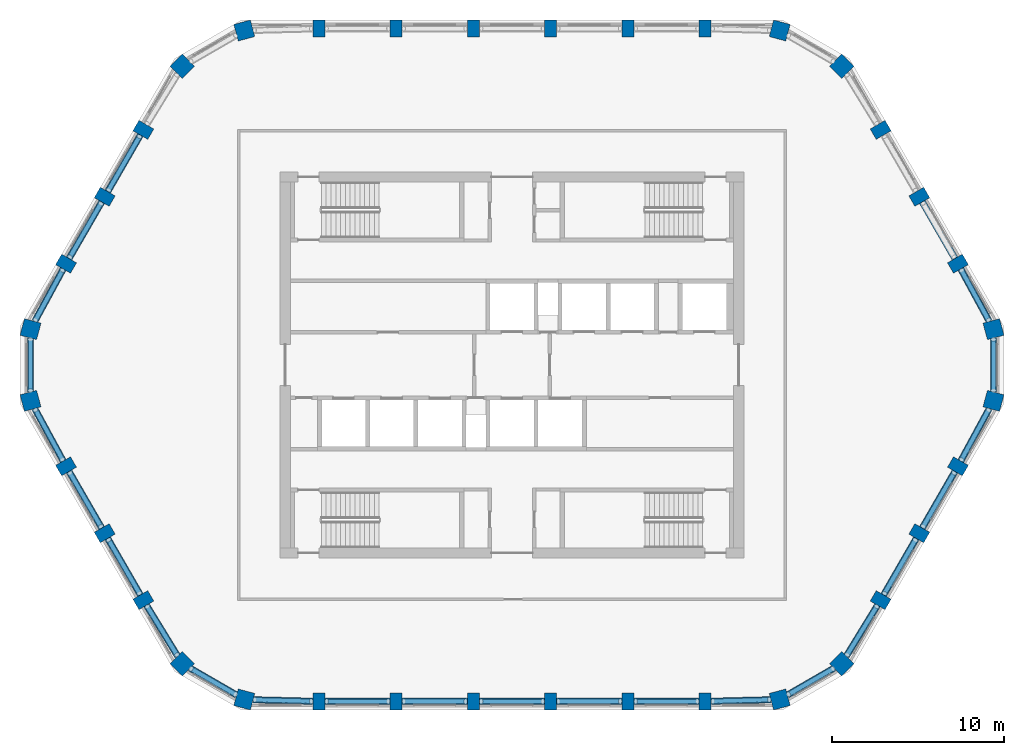
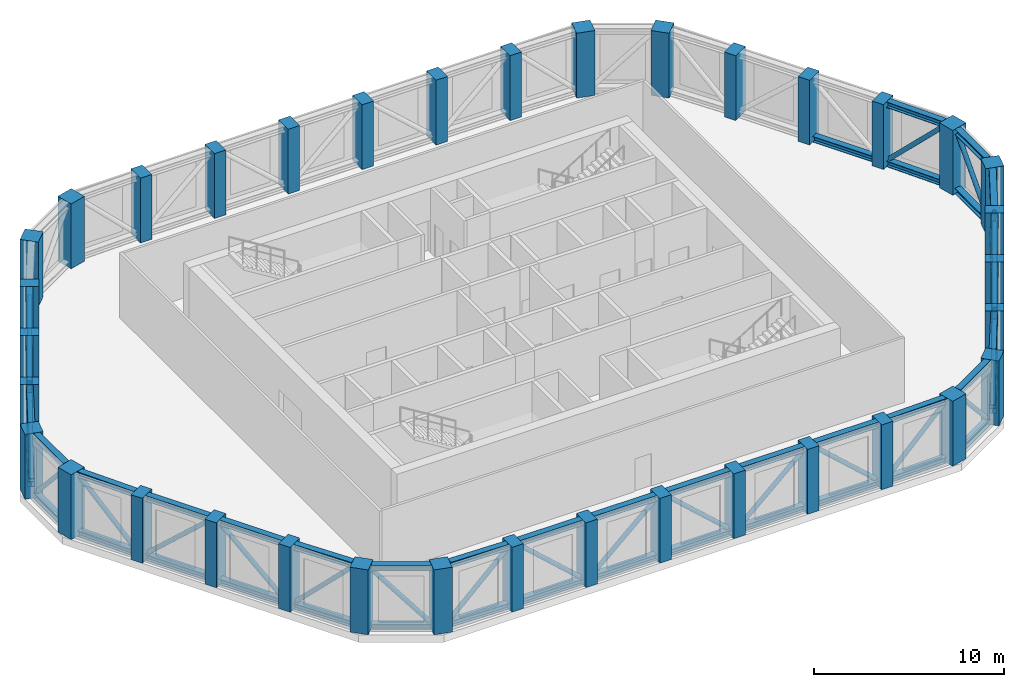
# One storey, part 1 of 14: 47 beams, 36 columns, 23 members.
"""IFC4 building model written with IfcOpenShell, lengths in metres."""

import ifcopenshell
import ifcopenshell.guid

model = None  # the IFC model being written
_history = None  # IfcOwnerHistory: only IFC2X3 demands one
_inside = {}  # id of a spatial element -> (the spatial element, [elements in it])
_under = {}  # id of a project, library or spatial element -> (it, [spatial elements below it])
_declared = {}  # id of a project -> (the project, [libraries it declares])
_typed = {}  # id of a type object -> (the type object, [elements of that type])
_made_of = {}  # id of a material, layer set ... -> (it, [elements and type objects made of it])


def new_model(schema):
    """Start an empty IFC model of exactly this schema.

    Asked for "IFC4X3", IfcOpenShell would pick the latest addendum, in which some entities
    have other attributes; the version numbers below select the first issue.
    IFC2X3 requires an IfcOwnerHistory on every rooted entity: one is made here for all.
    """
    global model, _history
    if schema == "IFC4X3":
        model = ifcopenshell.file(schema_version=(4, 3, 0, 0))
    else:
        model = ifcopenshell.file(schema=schema)
    _inside.clear()
    _under.clear()
    _declared.clear()
    _typed.clear()
    _made_of.clear()
    _history = None
    if model.schema == "IFC2X3":
        org = make("IfcOrganization", Name="unknown")
        user = make(
            "IfcPersonAndOrganization",
            ThePerson=make("IfcPerson", FamilyName="unknown"),
            TheOrganization=org,
        )
        app = make(
            "IfcApplication",
            ApplicationDeveloper=org,
            Version="unknown",
            ApplicationFullName="unknown",
            ApplicationIdentifier="unknown",
        )
        _history = make(
            "IfcOwnerHistory",
            OwningUser=user,
            OwningApplication=app,
            ChangeAction="ADDED",
            CreationDate=0,
        )
    return model


def make(cls, **values):
    """One entity of the class cls with the attributes given. An attribute that is None is left unset."""
    return model.create_entity(
        cls, **{name: value for name, value in values.items() if value is not None}
    )


def rooted(cls, **values):
    """An entity with a GlobalId (a new one), such as an element, a storey or a relation."""
    return make(cls, GlobalId=ifcopenshell.guid.new(), OwnerHistory=_history, **values)


def si_unit(unit_type, name, prefix=None):
    """IfcSIUnit, for example si_unit("LENGTHUNIT", "METRE", prefix="MILLI")."""
    return make("IfcSIUnit", UnitType=unit_type, Prefix=prefix, Name=name)


def assignment(units):
    """IfcUnitAssignment: the units of a project."""
    return None if units is None else make("IfcUnitAssignment", Units=units)


def point(xyz):
    """IfcCartesianPoint."""
    return None if xyz is None else make("IfcCartesianPoint", Coordinates=xyz)


def direction(xyz):
    """IfcDirection."""
    return None if xyz is None else make("IfcDirection", DirectionRatios=xyz)


def frame(location, z_axis=None, x_axis=None):
    """IfcAxis2Placement3D, a coordinate frame: its origin and axes. An axis left out is left unset."""
    return make(
        "IfcAxis2Placement3D",
        Location=point(location),
        Axis=direction(z_axis),
        RefDirection=direction(x_axis),
    )


def frame_2d(location, x_axis=None):
    """IfcAxis2Placement2D, a coordinate frame in the plane: its origin and x axis."""
    return make(
        "IfcAxis2Placement2D", Location=point(location), RefDirection=direction(x_axis)
    )


def origin():
    """The frame at (0, 0, 0) with its axes left unset."""
    return frame((0.0, 0.0, 0.0))


def origin_2d():
    """The frame at (0, 0) in the plane with its x axis left unset."""
    return frame_2d((0.0, 0.0))


def place(relative_to, where):
    """IfcLocalPlacement: puts the frame where relative to a parent placement (None: the world)."""
    return make(
        "IfcLocalPlacement", PlacementRelTo=relative_to, RelativePlacement=where
    )


def context(
    kind, dimensions, precision=None, world=None, true_north=None, identifier=None
):
    """IfcGeometricRepresentationContext, for example the 3D "Model" context."""
    return make(
        "IfcGeometricRepresentationContext",
        ContextIdentifier=identifier,
        ContextType=kind,
        CoordinateSpaceDimension=dimensions,
        Precision=precision,
        WorldCoordinateSystem=world,
        TrueNorth=true_north,
    )


def subcontext(parent, identifier, kind, view, scale=None):
    """IfcGeometricRepresentationSubContext, for example "Body" below "Model"."""
    return make(
        "IfcGeometricRepresentationSubContext",
        ContextIdentifier=identifier,
        ContextType=kind,
        ParentContext=parent,
        TargetScale=scale,
        TargetView=view,
    )


def project(units=None, contexts=None):
    """IfcProject with its units and contexts."""
    return rooted(
        "IfcProject",
        Name="project",
        RepresentationContexts=contexts,
        UnitsInContext=assignment(units),
    )


def spatial(cls, under=None, at=None, **own):
    """A site, building, storey or space (cls), placed at a placement, below another one or the project."""
    s = rooted(cls, ObjectPlacement=at, **own)
    if under is not None:
        _under.setdefault(under.id(), (under, []))[1].append(s)
    return s


def profile(cls, at=None, kind="AREA", **sizes):
    """A parametric profile (cls). Its sizes go by their IFC names, for example OverallWidth=200.0."""
    return make(cls, ProfileType=kind, Position=at, **sizes)


def rectangle(**sizes):
    """IfcRectangleProfileDef."""
    return profile("IfcRectangleProfileDef", **sizes)


def hollow_circle(**sizes):
    """IfcCircleHollowProfileDef."""
    return profile("IfcCircleHollowProfileDef", **sizes)


def i_section(**sizes):
    """IfcIShapeProfileDef."""
    return profile("IfcIShapeProfileDef", **sizes)


def extrude(swept, where, along, depth):
    """IfcExtrudedAreaSolid: the profile swept, set in the frame where, extruded along a direction by depth."""
    return make(
        "IfcExtrudedAreaSolid",
        SweptArea=swept,
        Position=where,
        ExtrudedDirection=direction(along),
        Depth=depth,
    )


def shape(context_of_items, identifier, shape_type, items):
    """IfcShapeRepresentation: the items that make up one representation, for example the "Body"."""
    return make(
        "IfcShapeRepresentation",
        ContextOfItems=context_of_items,
        RepresentationIdentifier=identifier,
        RepresentationType=shape_type,
        Items=items,
    )


def material(Name=None, Category=None):
    """IfcMaterial."""
    return make("IfcMaterial", Name=Name, Category=Category)


def material_profile(
    of_material, cross_section, Name=None, Category=None, Priority=None
):
    """IfcMaterialProfile: a cross section and its material."""
    return make(
        "IfcMaterialProfile",
        Name=Name,
        Material=of_material,
        Profile=cross_section,
        Priority=Priority,
        Category=Category,
    )


def profile_set(profiles, Name=None, composite=None):
    """IfcMaterialProfileSet."""
    return make(
        "IfcMaterialProfileSet",
        Name=Name,
        MaterialProfiles=profiles,
        CompositeProfile=composite,
    )


def made_of(thing, what):
    """Note that an element or type object is made of a material, layer set ...; save() writes the relation."""
    if what is not None:
        _made_of.setdefault(what.id(), (what, []))[1].append(thing)
    return thing


def type_object(cls, material=None, **own):
    """A type object (cls), such as IfcWallType, which elements share."""
    return made_of(rooted(cls, **own), material)


def element(
    cls,
    number,
    at=None,
    inside=None,
    cuts=None,
    type_object=None,
    material=None,
    context=None,
    identifier="Body",
    shape_type=None,
    held_by="IfcProductDefinitionShape",
    body=None,
    shapes=None,
    **own,
):
    """One element of the class cls, such as IfcWall. Its Tag is "e" and its number.

    at: its placement. inside: the storey or other place that contains it. cuts: it is an
    opening in that element (IfcRelVoidsElement). A single representation is given by context,
    identifier, shape_type and body (its items); several are given by shapes. held_by: the class
    of the entity that holds the representations. save() writes the other relations.
    """
    e = rooted(cls, Tag="e%d" % number, ObjectPlacement=at, **own)
    if body is not None:
        shapes = [shape(context, identifier, shape_type, body)]
    if shapes is not None:
        e.Representation = make(held_by, Representations=shapes)
    if inside is not None:
        _inside.setdefault(inside.id(), (inside, []))[1].append(e)
    if cuts is not None:
        rooted(
            "IfcRelVoidsElement", RelatingBuildingElement=cuts, RelatedOpeningElement=e
        )
    if type_object is not None:
        _typed.setdefault(type_object.id(), (type_object, []))[1].append(e)
    return made_of(e, material)


def aggregate(whole, parts):
    """IfcRelAggregates: a whole, such as a stair, and the parts it consists of."""
    return rooted("IfcRelAggregates", RelatingObject=whole, RelatedObjects=parts)


def save(model, path):
    """Write the relations noted so far, then the file.

    IfcRelAggregates (storeys below a building ...), IfcRelContainedInSpatialStructure (elements
    in a storey), IfcRelDefinesByType, IfcRelAssociatesMaterial and IfcRelDeclares: one each for
    every whole, place, type object, material and project.
    """
    for whole, parts in _under.values():
        aggregate(whole, parts)
    for where, things in _inside.values():
        rooted(
            "IfcRelContainedInSpatialStructure",
            RelatedElements=things,
            RelatingStructure=where,
        )
    for kind, things in _typed.values():
        rooted("IfcRelDefinesByType", RelatedObjects=things, RelatingType=kind)
    for what, things in _made_of.values():
        rooted("IfcRelAssociatesMaterial", RelatedObjects=things, RelatingMaterial=what)
    for by, libraries in _declared.values():
        rooted("IfcRelDeclares", RelatingContext=by, RelatedDefinitions=libraries)
    model.write(path)


model = new_model("IFC4")

# Units and contexts
model_context = context("Model", 3, precision=1e-05, world=origin(), true_north=direction((0.0, 1.0)))
body_context = subcontext(model_context, "Body", "Model", "MODEL_VIEW")
ifc_project = project(units=[si_unit("LENGTHUNIT", "METRE"), si_unit("AREAUNIT", "SQUARE_METRE"), si_unit("VOLUMEUNIT", "CUBIC_METRE"), si_unit("PLANEANGLEUNIT", "RADIAN"), si_unit("MASSUNIT", "GRAM", prefix="KILO")], contexts=[model_context])

# Site, building, storey
site_placement = place(None, origin())
site = spatial("IfcSite", under=ifc_project, at=site_placement, CompositionType="ELEMENT")
building_placement = place(site_placement, origin())
building = spatial("IfcBuilding", under=site, at=building_placement, Name="Dhurran Vertical Campus", CompositionType="ELEMENT")
storey_placement = place(building_placement, frame((0.0, 0.0, 282.0)))
storey = spatial("IfcBuildingStorey", under=building, at=storey_placement, Name="L70 Plant", CompositionType="ELEMENT", Elevation=282.0)

# Columns
ifc_material_1 = material(Name="Concrete C50/60", Category="concrete")
ifc_material_profile_1 = material_profile(ifc_material_1, rectangle(XDim=1.0, YDim=1.0, at=origin_2d()), Name="RC 1000x1000")
ifc_profile_set_1 = profile_set([ifc_material_profile_1], Name="Concrete C50/60")
column_type_1 = type_object("IfcColumnType", Name="FR COL RC 1000x1000 C50/60", PredefinedType="COLUMN", material=ifc_profile_set_1)
for number, where, z_axis, x_axis, name in (
    (1, (-15.5859375, -19.47607421875, 0.0), (0.0, 0.0, 1.0), (0.965925826289, -0.258819045103, 0.0), "Perimeter pier PP5.00"),
    (2, (15.5859375, -19.47607421875, 0.0), (0.0, 0.0, 1.0), (0.965925826289, 0.258819045103, 0.0), "Perimeter pier PP5.07"),
    (3, (19.19873046875, -17.39013671875, 0.0), (0.0, 0.0, 1.0), (0.707106781187, 0.707106781187, 0.0), "Perimeter pier PP5.08"),
    (4, (28.03466796875, -2.0859375, 0.0), (0.0, 0.0, 1.0), (0.258819045103, 0.965925826289, 0.0), "Perimeter pier PP5.12"),
    (5, (28.03466796875, 2.0859375, 0.0), (0.0, 0.0, 1.0), (-0.258819045103, 0.965925826289, 0.0), "Perimeter pier PP5.13"),
    (6, (19.19873046875, 17.39013671875, 0.0), (0.0, 0.0, 1.0), (-0.707106781187, 0.707106781187, 0.0), "Perimeter pier PP5.17"),
    (7, (15.5859375, 19.47607421875, 0.0), (0.0, 0.0, 1.0), (-0.965925826289, 0.258819045103, 0.0), "Perimeter pier PP5.18"),
    (8, (-15.5859375, 19.47607421875, 0.0), (0.0, 0.0, 1.0), (-0.965925826289, -0.258819045103, 0.0), "Perimeter pier PP5.25"),
    (9, (-19.19873046875, 17.39013671875, 0.0), (0.0, 0.0, 1.0), (-0.707106781187, -0.707106781187, 0.0), "Perimeter pier PP5.26"),
    (10, (-28.03466796875, 2.0859375, 0.0), (0.0, 0.0, 1.0), (-0.258819045103, -0.965925826289, 0.0), "Perimeter pier PP5.30"),
    (11, (-28.03466796875, -2.0859375, 0.0), (0.0, 0.0, 1.0), (0.258819045103, -0.965925826289, 0.0), "Perimeter pier PP5.31"),
    (12, (-19.19873046875, -17.39013671875, 0.0), (0.0, 0.0, 1.0), (0.707106781187, -0.707106781187, 0.0), "Perimeter pier PP5.35"),
):
    element("IfcColumn", number, at=place(storey_placement, frame(where, z_axis=z_axis, x_axis=x_axis)), inside=storey, type_object=column_type_1, Name=name, PredefinedType="COLUMN", context=body_context, shape_type="SweptSolid", body=[
        extrude(rectangle(XDim=1.0, YDim=1.0, at=origin_2d()), origin(), (0.0, 0.0, 1.0), 4.175048828125),
    ])
ifc_material_2 = material(Name="Concrete C50/60", Category="concrete")
ifc_material_profile_2 = material_profile(ifc_material_2, rectangle(XDim=0.699951171875, YDim=1.0, at=origin_2d()), Name="RC 700x1000")
ifc_profile_set_2 = profile_set([ifc_material_profile_2], Name="Concrete C50/60")
column_type_2 = type_object("IfcColumnType", Name="FR COL RC 700x1000 C50/60", PredefinedType="COLUMN", material=ifc_profile_set_2)
for number, where, z_axis, x_axis, name in (
    (13, (-11.25, -19.58837890625, 0.0), (0.0, 0.0, 1.0), (1.0, 0.0, 0.0), "Perimeter pier PP5.01"),
    (14, (-6.75, -19.58837890625, 0.0), (0.0, 0.0, 1.0), (1.0, 0.0, 0.0), "Perimeter pier PP5.02"),
    (15, (-2.25, -19.58837890625, 0.0), (0.0, 0.0, 1.0), (1.0, 0.0, 0.0), "Perimeter pier PP5.03"),
    (16, (2.25, -19.58837890625, 0.0), (0.0, 0.0, 1.0), (1.0, 0.0, 0.0), "Perimeter pier PP5.04"),
    (17, (6.75, -19.58837890625, 0.0), (0.0, 0.0, 1.0), (1.0, 0.0, 0.0), "Perimeter pier PP5.05"),
    (18, (11.25, -19.58837890625, 0.0), (0.0, 0.0, 1.0), (1.0, 0.0, 0.0), "Perimeter pier PP5.06"),
    (19, (21.464111328125, -13.69140625, 0.0), (0.0, 0.0, 1.0), (0.5, 0.866025403784, 0.0), "Perimeter pier PP5.09"),
    (20, (23.714111328125, -9.794189453125, 0.0), (0.0, 0.0, 1.0), (0.5, 0.866025403784, 0.0), "Perimeter pier PP5.10"),
    (21, (25.964111328125, -5.897216796875, 0.0), (0.0, 0.0, 1.0), (0.5, 0.866025403784, 0.0), "Perimeter pier PP5.11"),
    (22, (25.964111328125, 5.897216796875, 0.0), (0.0, 0.0, 1.0), (-0.5, 0.866025403784, 0.0), "Perimeter pier PP5.14"),
    (23, (23.714111328125, 9.794189453125, 0.0), (0.0, 0.0, 1.0), (-0.5, 0.866025403784, 0.0), "Perimeter pier PP5.15"),
    (24, (21.464111328125, 13.69140625, 0.0), (0.0, 0.0, 1.0), (-0.5, 0.866025403784, 0.0), "Perimeter pier PP5.16"),
    (25, (11.25, 19.58837890625, 0.0), (0.0, 0.0, 1.0), (-1.0, 0.0, 0.0), "Perimeter pier PP5.19"),
    (26, (6.75, 19.58837890625, 0.0), (0.0, 0.0, 1.0), (-1.0, 0.0, 0.0), "Perimeter pier PP5.20"),
    (27, (2.25, 19.58837890625, 0.0), (0.0, 0.0, 1.0), (-1.0, 0.0, 0.0), "Perimeter pier PP5.21"),
    (28, (-2.25, 19.58837890625, 0.0), (0.0, 0.0, 1.0), (-1.0, 0.0, 0.0), "Perimeter pier PP5.22"),
    (29, (-6.75, 19.58837890625, 0.0), (0.0, 0.0, 1.0), (-1.0, 0.0, 0.0), "Perimeter pier PP5.23"),
    (30, (-11.25, 19.58837890625, 0.0), (0.0, 0.0, 1.0), (-1.0, 0.0, 0.0), "Perimeter pier PP5.24"),
    (31, (-21.464111328125, 13.69140625, 0.0), (0.0, 0.0, 1.0), (-0.5, -0.866025403784, 0.0), "Perimeter pier PP5.27"),
    (32, (-23.714111328125, 9.794189453125, 0.0), (0.0, 0.0, 1.0), (-0.5, -0.866025403784, 0.0), "Perimeter pier PP5.28"),
    (33, (-25.964111328125, 5.897216796875, 0.0), (0.0, 0.0, 1.0), (-0.5, -0.866025403784, 0.0), "Perimeter pier PP5.29"),
    (34, (-25.964111328125, -5.897216796875, 0.0), (0.0, 0.0, 1.0), (0.5, -0.866025403784, 0.0), "Perimeter pier PP5.32"),
    (35, (-23.714111328125, -9.794189453125, 0.0), (0.0, 0.0, 1.0), (0.5, -0.866025403784, 0.0), "Perimeter pier PP5.33"),
    (36, (-21.464111328125, -13.69140625, 0.0), (0.0, 0.0, 1.0), (0.5, -0.866025403784, 0.0), "Perimeter pier PP5.34"),
):
    element("IfcColumn", number, at=place(storey_placement, frame(where, z_axis=z_axis, x_axis=x_axis)), inside=storey, type_object=column_type_2, Name=name, PredefinedType="COLUMN", context=body_context, shape_type="SweptSolid", body=[
        extrude(rectangle(XDim=0.699951171875, YDim=1.0, at=origin_2d()), origin(), (0.0, 0.0, 1.0), 4.175048828125),
    ])

# Beams
ifc_material_3 = material(Name="Steel ASTM A992", Category="steel")
ifc_material_profile_3 = material_profile(ifc_material_3, i_section(OverallWidth=0.3740234375, OverallDepth=0.3720703125, WebThickness=0.016357421875, FlangeThickness=0.026123046875, at=origin_2d()), Name="W360x196")
ifc_profile_set_3 = profile_set([ifc_material_profile_3], Name="Steel ASTM A992")
beam_type = type_object("IfcBeamType", Name="FR BELT CHORD W360x196", PredefinedType="BEAM", material=ifc_profile_set_3)
for number, where, z_axis, x_axis, name in (
    (37, (-15.07177734375, -19.489501953125, 0.18603515625), (0.999665305657, -0.025870382031, 0.0), (0.025870382031, 0.999665305657, 0.0), "Belt truss chord L70"),
    (38, (-15.07177734375, -19.489501953125, 3.989013671875), (0.999665305657, -0.025870382031, 0.0), (0.025870382031, 0.999665305657, 0.0), "Belt truss chord L70"),
):
    element("IfcBeam", number, at=place(storey_placement, frame(where, z_axis=z_axis, x_axis=x_axis)), inside=storey, type_object=beam_type, Name=name, PredefinedType="BEAM", context=body_context, shape_type="SweptSolid", body=[
        extrude(i_section(OverallWidth=0.3740234375, OverallDepth=0.3720703125, WebThickness=0.016357421875, FlangeThickness=0.026123046875, at=origin_2d()), origin(), (0.0, 0.0, 1.0), 3.472900390625),
    ])
for number, where, z_axis, x_axis, name in (
    (39, (-10.89990234375, -19.58837890625, 0.18603515625), (1.0, 0.0, 0.0), (0.0, 1.0, 0.0), "Belt truss chord L70"),
    (40, (-10.89990234375, -19.58837890625, 3.989013671875), (1.0, 0.0, 0.0), (0.0, 1.0, 0.0), "Belt truss chord L70"),
    (41, (-6.39990234375, -19.58837890625, 0.18603515625), (1.0, 0.0, 0.0), (0.0, 1.0, 0.0), "Belt truss chord L70"),
    (42, (-6.39990234375, -19.58837890625, 3.989013671875), (1.0, 0.0, 0.0), (0.0, 1.0, 0.0), "Belt truss chord L70"),
    (43, (-1.89990234375, -19.58837890625, 0.18603515625), (1.0, 0.0, 0.0), (0.0, 1.0, 0.0), "Belt truss chord L70"),
    (44, (-1.89990234375, -19.58837890625, 3.989013671875), (1.0, 0.0, 0.0), (0.0, 1.0, 0.0), "Belt truss chord L70"),
    (45, (2.60009765625, -19.58837890625, 0.18603515625), (1.0, 0.0, 0.0), (0.0, 1.0, 0.0), "Belt truss chord L70"),
    (46, (2.60009765625, -19.58837890625, 3.989013671875), (1.0, 0.0, 0.0), (0.0, 1.0, 0.0), "Belt truss chord L70"),
    (47, (7.10009765625, -19.58837890625, 0.18603515625), (1.0, 0.0, 0.0), (0.0, 1.0, 0.0), "Belt truss chord L70"),
    (48, (7.10009765625, -19.58837890625, 3.989013671875), (1.0, 0.0, 0.0), (0.0, 1.0, 0.0), "Belt truss chord L70"),
):
    element("IfcBeam", number, at=place(storey_placement, frame(where, z_axis=z_axis, x_axis=x_axis)), inside=storey, type_object=beam_type, Name=name, PredefinedType="BEAM", context=body_context, shape_type="SweptSolid", body=[
        extrude(i_section(OverallWidth=0.3740234375, OverallDepth=0.3720703125, WebThickness=0.016357421875, FlangeThickness=0.026123046875, at=origin_2d()), origin(), (0.0, 0.0, 1.0), 3.7998046875),
    ])
for number, where, z_axis, x_axis, name in (
    (49, (11.60009765625, -19.579345703125, 0.18603515625), (0.999665305657, 0.025870382031, 0.0), (-0.025870382031, 0.999665305657, 0.0), "Belt truss chord L70"),
    (50, (11.60009765625, -19.579345703125, 3.989013671875), (0.999665305657, 0.025870382031, 0.0), (-0.025870382031, 0.999665305657, 0.0), "Belt truss chord L70"),
):
    element("IfcBeam", number, at=place(storey_placement, frame(where, z_axis=z_axis, x_axis=x_axis)), inside=storey, type_object=beam_type, Name=name, PredefinedType="BEAM", context=body_context, shape_type="SweptSolid", body=[
        extrude(i_section(OverallWidth=0.3740234375, OverallDepth=0.3720703125, WebThickness=0.016357421875, FlangeThickness=0.026123046875, at=origin_2d()), origin(), (0.0, 0.0, 1.0), 3.472900390625),
    ])
for number, where, z_axis, x_axis, name in (
    (51, (16.0341796875, -19.21728515625, 0.18603515625), (0.866011891242, 0.50002340368, 0.0), (-0.50002340368, 0.866011891242, 0.0), "Belt truss chord L70"),
    (52, (16.0341796875, -19.21728515625, 3.989013671875), (0.866011891242, 0.50002340368, 0.0), (-0.50002340368, 0.866011891242, 0.0), "Belt truss chord L70"),
):
    element("IfcBeam", number, at=place(storey_placement, frame(where, z_axis=z_axis, x_axis=x_axis)), inside=storey, type_object=beam_type, Name=name, PredefinedType="BEAM", context=body_context, shape_type="SweptSolid", body=[
        extrude(i_section(OverallWidth=0.3740234375, OverallDepth=0.3720703125, WebThickness=0.016357421875, FlangeThickness=0.026123046875, at=origin_2d()), origin(), (0.0, 0.0, 1.0), 3.136474609375),
    ])
for number, where, z_axis, x_axis, name in (
    (53, (19.46728515625, -16.95166015625, 0.18603515625), (0.522299938367, 0.852761850919, 0.0), (-0.852761850919, 0.522299938367, 0.0), "Belt truss chord L70"),
    (54, (19.46728515625, -16.95166015625, 3.989013671875), (0.522299938367, 0.852761850919, 0.0), (-0.852761850919, 0.522299938367, 0.0), "Belt truss chord L70"),
):
    element("IfcBeam", number, at=place(storey_placement, frame(where, z_axis=z_axis, x_axis=x_axis)), inside=storey, type_object=beam_type, Name=name, PredefinedType="BEAM", context=body_context, shape_type="SweptSolid", body=[
        extrude(i_section(OverallWidth=0.3740234375, OverallDepth=0.3720703125, WebThickness=0.016357421875, FlangeThickness=0.026123046875, at=origin_2d()), origin(), (0.0, 0.0, 1.0), 3.47314453125),
    ])
for number, where, z_axis, x_axis, name in (
    (55, (21.63916015625, -13.38818359375, 0.18603515625), (0.499994975061, 0.866028304915, 0.0), (-0.866028304915, 0.499994975061, 0.0), "Belt truss chord L70"),
    (56, (21.63916015625, -13.38818359375, 3.989013671875), (0.499994975061, 0.866028304915, 0.0), (-0.866028304915, 0.499994975061, 0.0), "Belt truss chord L70"),
):
    element("IfcBeam", number, at=place(storey_placement, frame(where, z_axis=z_axis, x_axis=x_axis)), inside=storey, type_object=beam_type, Name=name, PredefinedType="BEAM", context=body_context, shape_type="SweptSolid", body=[
        extrude(i_section(OverallWidth=0.3740234375, OverallDepth=0.3720703125, WebThickness=0.016357421875, FlangeThickness=0.026123046875, at=origin_2d()), origin(), (0.0, 0.0, 1.0), 3.7998046875),
    ])
for number, where, z_axis, x_axis, name in (
    (57, (23.88916015625, -9.4912109375, 0.18603515625), (0.499967155389, 0.866044365799, 0.0), (-0.866044365799, 0.499967155389, 0.0), "Belt truss chord L70"),
    (58, (23.88916015625, -9.4912109375, 3.989013671875), (0.499967155389, 0.866044365799, 0.0), (-0.866044365799, 0.499967155389, 0.0), "Belt truss chord L70"),
):
    element("IfcBeam", number, at=place(storey_placement, frame(where, z_axis=z_axis, x_axis=x_axis)), inside=storey, type_object=beam_type, Name=name, PredefinedType="BEAM", context=body_context, shape_type="SweptSolid", body=[
        extrude(i_section(OverallWidth=0.3740234375, OverallDepth=0.3720703125, WebThickness=0.016357421875, FlangeThickness=0.026123046875, at=origin_2d()), origin(), (0.0, 0.0, 1.0), 3.800048828125),
    ])
for number, where, z_axis, x_axis, name in (
    (59, (26.131103515625, -5.589599609375, 0.18603515625), (0.477433100295, 0.878668102723, 0.0), (-0.878668102723, 0.477433100295, 0.0), "Belt truss chord L70"),
    (60, (26.131103515625, -5.589599609375, 3.989013671875), (0.477433100295, 0.878668102723, 0.0), (-0.878668102723, 0.477433100295, 0.0), "Belt truss chord L70"),
):
    element("IfcBeam", number, at=place(storey_placement, frame(where, z_axis=z_axis, x_axis=x_axis)), inside=storey, type_object=beam_type, Name=name, PredefinedType="BEAM", context=body_context, shape_type="SweptSolid", body=[
        extrude(i_section(OverallWidth=0.3740234375, OverallDepth=0.3720703125, WebThickness=0.016357421875, FlangeThickness=0.026123046875, at=origin_2d()), origin(), (0.0, 0.0, 1.0), 3.47314453125),
    ])
for number, where, z_axis, x_axis, name in (
    (61, (28.03466796875, -1.568359375, 0.18603515625), (0.0, 1.0, 0.0), (-1.0, 0.0, 0.0), "Belt truss chord L70"),
    (62, (28.03466796875, -1.568359375, 3.989013671875), (0.0, 1.0, 0.0), (-1.0, 0.0, 0.0), "Belt truss chord L70"),
):
    element("IfcBeam", number, at=place(storey_placement, frame(where, z_axis=z_axis, x_axis=x_axis)), inside=storey, type_object=beam_type, Name=name, PredefinedType="BEAM", context=body_context, shape_type="SweptSolid", body=[
        extrude(i_section(OverallWidth=0.3740234375, OverallDepth=0.3720703125, WebThickness=0.016357421875, FlangeThickness=0.026123046875, at=origin_2d()), origin(), (0.0, 0.0, 1.0), 3.13671875),
    ])
for number, where, z_axis, x_axis, name in (
    (63, (27.789306640625, 2.537841796875, 0.18603515625), (-0.477433100295, 0.878668102723, 0.0), (-0.878668102723, -0.477433100295, 0.0), "Belt truss chord L70"),
    (64, (27.789306640625, 2.537841796875, 3.989013671875), (-0.477433100295, 0.878668102723, 0.0), (-0.878668102723, -0.477433100295, 0.0), "Belt truss chord L70"),
):
    element("IfcBeam", number, at=place(storey_placement, frame(where, z_axis=z_axis, x_axis=x_axis)), inside=storey, type_object=beam_type, Name=name, PredefinedType="BEAM", context=body_context, shape_type="SweptSolid", body=[
        extrude(i_section(OverallWidth=0.3740234375, OverallDepth=0.3720703125, WebThickness=0.016357421875, FlangeThickness=0.026123046875, at=origin_2d()), origin(), (0.0, 0.0, 1.0), 3.47314453125),
    ])
beam_placement = place(storey_placement, frame((25.7890625, 6.2001953125, 0.18603515625), z_axis=(-0.499967155389, 0.866044365799, 0.0), x_axis=(-0.866044365799, -0.499967155389, 0.0)))
element("IfcBeam", 65, at=beam_placement, inside=storey, type_object=beam_type, Name="Belt truss chord L70", PredefinedType="BEAM", context=body_context, shape_type="SweptSolid", body=[
    extrude(i_section(OverallWidth=0.3740234375, OverallDepth=0.3720703125, WebThickness=0.016357421875, FlangeThickness=0.026123046875, at=origin_2d()), origin(), (0.0, 0.0, 1.0), 3.800048828125),
])
for number, where, z_axis, x_axis, name in (
    (66, (-21.63916015625, 13.38818359375, 0.18603515625), (-0.499994975061, -0.866028304915, 0.0), (0.866028304915, -0.499994975061, 0.0), "Belt truss chord L70"),
    (67, (-21.63916015625, 13.38818359375, 3.989013671875), (-0.499994975061, -0.866028304915, 0.0), (0.866028304915, -0.499994975061, 0.0), "Belt truss chord L70"),
):
    element("IfcBeam", number, at=place(storey_placement, frame(where, z_axis=z_axis, x_axis=x_axis)), inside=storey, type_object=beam_type, Name=name, PredefinedType="BEAM", context=body_context, shape_type="SweptSolid", body=[
        extrude(i_section(OverallWidth=0.3740234375, OverallDepth=0.3720703125, WebThickness=0.016357421875, FlangeThickness=0.026123046875, at=origin_2d()), origin(), (0.0, 0.0, 1.0), 3.7998046875),
    ])
for number, where, z_axis, x_axis, name in (
    (68, (-23.88916015625, 9.4912109375, 0.18603515625), (-0.499967155389, -0.866044365799, 0.0), (0.866044365799, -0.499967155389, 0.0), "Belt truss chord L70"),
    (69, (-23.88916015625, 9.4912109375, 3.989013671875), (-0.499967155389, -0.866044365799, 0.0), (0.866044365799, -0.499967155389, 0.0), "Belt truss chord L70"),
):
    element("IfcBeam", number, at=place(storey_placement, frame(where, z_axis=z_axis, x_axis=x_axis)), inside=storey, type_object=beam_type, Name=name, PredefinedType="BEAM", context=body_context, shape_type="SweptSolid", body=[
        extrude(i_section(OverallWidth=0.3740234375, OverallDepth=0.3720703125, WebThickness=0.016357421875, FlangeThickness=0.026123046875, at=origin_2d()), origin(), (0.0, 0.0, 1.0), 3.800048828125),
    ])
for number, where, z_axis, x_axis, name in (
    (70, (-26.131103515625, 5.589599609375, 0.18603515625), (-0.477433100295, -0.878668102723, 0.0), (0.878668102723, -0.477433100295, 0.0), "Belt truss chord L70"),
    (71, (-26.131103515625, 5.589599609375, 3.989013671875), (-0.477433100295, -0.878668102723, 0.0), (0.878668102723, -0.477433100295, 0.0), "Belt truss chord L70"),
):
    element("IfcBeam", number, at=place(storey_placement, frame(where, z_axis=z_axis, x_axis=x_axis)), inside=storey, type_object=beam_type, Name=name, PredefinedType="BEAM", context=body_context, shape_type="SweptSolid", body=[
        extrude(i_section(OverallWidth=0.3740234375, OverallDepth=0.3720703125, WebThickness=0.016357421875, FlangeThickness=0.026123046875, at=origin_2d()), origin(), (0.0, 0.0, 1.0), 3.47314453125),
    ])
for number, where, z_axis, x_axis, name in (
    (72, (-28.03466796875, 1.568359375, 0.18603515625), (0.0, -1.0, 0.0), (1.0, 0.0, 0.0), "Belt truss chord L70"),
    (73, (-28.03466796875, 1.568359375, 3.989013671875), (0.0, -1.0, 0.0), (1.0, 0.0, 0.0), "Belt truss chord L70"),
):
    element("IfcBeam", number, at=place(storey_placement, frame(where, z_axis=z_axis, x_axis=x_axis)), inside=storey, type_object=beam_type, Name=name, PredefinedType="BEAM", context=body_context, shape_type="SweptSolid", body=[
        extrude(i_section(OverallWidth=0.3740234375, OverallDepth=0.3720703125, WebThickness=0.016357421875, FlangeThickness=0.026123046875, at=origin_2d()), origin(), (0.0, 0.0, 1.0), 3.13671875),
    ])
for number, where, z_axis, x_axis, name in (
    (74, (-27.789306640625, -2.537841796875, 0.18603515625), (0.477433100295, -0.878668102723, 0.0), (0.878668102723, 0.477433100295, 0.0), "Belt truss chord L70"),
    (75, (-27.789306640625, -2.537841796875, 3.989013671875), (0.477433100295, -0.878668102723, 0.0), (0.878668102723, 0.477433100295, 0.0), "Belt truss chord L70"),
):
    element("IfcBeam", number, at=place(storey_placement, frame(where, z_axis=z_axis, x_axis=x_axis)), inside=storey, type_object=beam_type, Name=name, PredefinedType="BEAM", context=body_context, shape_type="SweptSolid", body=[
        extrude(i_section(OverallWidth=0.3740234375, OverallDepth=0.3720703125, WebThickness=0.016357421875, FlangeThickness=0.026123046875, at=origin_2d()), origin(), (0.0, 0.0, 1.0), 3.47314453125),
    ])
for number, where, z_axis, x_axis, name in (
    (76, (-25.7890625, -6.2001953125, 0.18603515625), (0.499967155389, -0.866044365799, 0.0), (0.866044365799, 0.499967155389, 0.0), "Belt truss chord L70"),
    (77, (-25.7890625, -6.2001953125, 3.989013671875), (0.499967155389, -0.866044365799, 0.0), (0.866044365799, 0.499967155389, 0.0), "Belt truss chord L70"),
):
    element("IfcBeam", number, at=place(storey_placement, frame(where, z_axis=z_axis, x_axis=x_axis)), inside=storey, type_object=beam_type, Name=name, PredefinedType="BEAM", context=body_context, shape_type="SweptSolid", body=[
        extrude(i_section(OverallWidth=0.3740234375, OverallDepth=0.3720703125, WebThickness=0.016357421875, FlangeThickness=0.026123046875, at=origin_2d()), origin(), (0.0, 0.0, 1.0), 3.800048828125),
    ])
for number, where, z_axis, x_axis, name in (
    (78, (-23.5390625, -10.097412109375, 0.18603515625), (0.499994975061, -0.866028304915, 0.0), (0.866028304915, 0.499994975061, 0.0), "Belt truss chord L70"),
    (79, (-23.5390625, -10.097412109375, 3.989013671875), (0.499994975061, -0.866028304915, 0.0), (0.866028304915, 0.499994975061, 0.0), "Belt truss chord L70"),
):
    element("IfcBeam", number, at=place(storey_placement, frame(where, z_axis=z_axis, x_axis=x_axis)), inside=storey, type_object=beam_type, Name=name, PredefinedType="BEAM", context=body_context, shape_type="SweptSolid", body=[
        extrude(i_section(OverallWidth=0.3740234375, OverallDepth=0.3720703125, WebThickness=0.016357421875, FlangeThickness=0.026123046875, at=origin_2d()), origin(), (0.0, 0.0, 1.0), 3.7998046875),
    ])
for number, where, z_axis, x_axis, name in (
    (80, (-21.28125, -13.989990234375, 0.18603515625), (0.522299938367, -0.852761850919, 0.0), (0.852761850919, 0.522299938367, 0.0), "Belt truss chord L70"),
    (81, (-21.28125, -13.989990234375, 3.989013671875), (0.522299938367, -0.852761850919, 0.0), (0.852761850919, 0.522299938367, 0.0), "Belt truss chord L70"),
):
    element("IfcBeam", number, at=place(storey_placement, frame(where, z_axis=z_axis, x_axis=x_axis)), inside=storey, type_object=beam_type, Name=name, PredefinedType="BEAM", context=body_context, shape_type="SweptSolid", body=[
        extrude(i_section(OverallWidth=0.3740234375, OverallDepth=0.3720703125, WebThickness=0.016357421875, FlangeThickness=0.026123046875, at=origin_2d()), origin(), (0.0, 0.0, 1.0), 3.47314453125),
    ])
for number, where, z_axis, x_axis, name in (
    (82, (-18.75048828125, -17.64892578125, 0.18603515625), (0.866011891242, -0.50002340368, 0.0), (0.50002340368, 0.866011891242, 0.0), "Belt truss chord L70"),
    (83, (-18.75048828125, -17.64892578125, 3.989013671875), (0.866011891242, -0.50002340368, 0.0), (0.50002340368, 0.866011891242, 0.0), "Belt truss chord L70"),
):
    element("IfcBeam", number, at=place(storey_placement, frame(where, z_axis=z_axis, x_axis=x_axis)), inside=storey, type_object=beam_type, Name=name, PredefinedType="BEAM", context=body_context, shape_type="SweptSolid", body=[
        extrude(i_section(OverallWidth=0.3740234375, OverallDepth=0.3720703125, WebThickness=0.016357421875, FlangeThickness=0.026123046875, at=origin_2d()), origin(), (0.0, 0.0, 1.0), 3.136474609375),
    ])

# Members
ifc_material_4 = material(Name="Steel S355J2H", Category="steel")
ifc_material_profile_4 = material_profile(ifc_material_4, hollow_circle(Radius=0.136474609375, WallThickness=0.012451171875, at=origin_2d()), Name="CHS273x12.5")
ifc_profile_set_4 = profile_set([ifc_material_profile_4], Name="Steel S355J2H")
member_type = type_object("IfcMemberType", Name="FR BELT DIAGONAL CHS273x12.5", PredefinedType="BRACE", material=ifc_profile_set_4)
member_1_placement = place(storey_placement, frame((-14.9736328125, -19.491943359375, 0.468994140625), z_axis=(0.711161727511, -0.018446949998, 0.702786388144), x_axis=(0.025930455033, 0.999663749219, 0.0)))
element("IfcMember", 84, at=member_1_placement, inside=storey, type_object=member_type, Name="Belt truss diagonal L70", PredefinedType="BRACE", context=body_context, shape_type="SweptSolid", body=[
    extrude(hollow_circle(Radius=0.136474609375, WallThickness=0.012451171875, at=origin_2d()), origin(), (0.0, 0.0, 1.0), 4.605712890625),
])
for number, where, z_axis, x_axis, name in (
    (85, (-7.212158203125, -19.58837890625, 0.473388671875), (-0.742244933877, 0.0, 0.670128687741), (0.0, -1.0, 0.0), "Belt truss diagonal L70"),
    (86, (-6.287841796875, -19.58837890625, 0.473388671875), (0.742244933877, 0.0, 0.670128687741), (0.0, 1.0, 0.0), "Belt truss diagonal L70"),
    (87, (1.787841796875, -19.58837890625, 0.473388671875), (-0.742244933877, 0.0, 0.670128687741), (0.0, -1.0, 0.0), "Belt truss diagonal L70"),
    (88, (2.712158203125, -19.58837890625, 0.473388671875), (0.742244933877, 0.0, 0.670128687741), (0.0, 1.0, 0.0), "Belt truss diagonal L70"),
    (89, (10.787841796875, -19.58837890625, 0.473388671875), (-0.742244933877, 0.0, 0.670128687741), (0.0, -1.0, 0.0), "Belt truss diagonal L70"),
):
    element("IfcMember", number, at=place(storey_placement, frame(where, z_axis=z_axis, x_axis=x_axis)), inside=storey, type_object=member_type, Name=name, PredefinedType="BRACE", context=body_context, shape_type="SweptSolid", body=[
        extrude(hollow_circle(Radius=0.136474609375, WallThickness=0.012451171875, at=origin_2d()), origin(), (0.0, 0.0, 1.0), 4.8173828125),
    ])
member_2_placement = place(storey_placement, frame((11.6982421875, -19.576904296875, 0.468994140625), z_axis=(0.711161727511, 0.018446949998, 0.702786388144), x_axis=(-0.025930455033, 0.999663749219, 0.0)))
element("IfcMember", 90, at=member_2_placement, inside=storey, type_object=member_type, Name="Belt truss diagonal L70", PredefinedType="BRACE", context=body_context, shape_type="SweptSolid", body=[
    extrude(hollow_circle(Radius=0.136474609375, WallThickness=0.012451171875, at=origin_2d()), origin(), (0.0, 0.0, 1.0), 4.605712890625),
])
member_3_placement = place(storey_placement, frame((18.677490234375, -17.691162109375, 0.464111328125), z_axis=(-0.58429729342, -0.337380627536, 0.738086028228), x_axis=(0.500040492491, -0.866002024172, 0.0)))
element("IfcMember", 91, at=member_3_placement, inside=storey, type_object=member_type, Name="Belt truss diagonal L70", PredefinedType="BRACE", context=body_context, shape_type="SweptSolid", body=[
    extrude(hollow_circle(Radius=0.136474609375, WallThickness=0.012451171875, at=origin_2d()), origin(), (0.0, 0.0, 1.0), 4.39892578125),
])
member_4_placement = place(storey_placement, frame((19.518798828125, -16.867919921875, 0.468994140625), z_axis=(0.371534355579, 0.606678655957, 0.702782491977), x_axis=(-0.852789675077, 0.522254507, 0.0)))
element("IfcMember", 92, at=member_4_placement, inside=storey, type_object=member_type, Name="Belt truss diagonal L70", PredefinedType="BRACE", context=body_context, shape_type="SweptSolid", body=[
    extrude(hollow_circle(Radius=0.136474609375, WallThickness=0.012451171875, at=origin_2d()), origin(), (0.0, 0.0, 1.0), 4.605712890625),
])
for number, where, z_axis, x_axis, name in (
    (93, (23.48291015625, -10.194580078125, 0.473388671875), (-0.371088535519, -0.642791026493, 0.670158932691), (0.866041176648, -0.499972679604, 0.0), "Belt truss diagonal L70"),
    (94, (23.9453125, -9.393798828125, 0.473388671875), (0.371088535519, 0.642791026493, 0.670158932691), (-0.866041176648, 0.499972679604, 0.0), "Belt truss diagonal L70"),
):
    element("IfcMember", number, at=place(storey_placement, frame(where, z_axis=z_axis, x_axis=x_axis)), inside=storey, type_object=member_type, Name=name, PredefinedType="BRACE", context=body_context, shape_type="SweptSolid", body=[
        extrude(hollow_circle(Radius=0.136474609375, WallThickness=0.012451171875, at=origin_2d()), origin(), (0.0, 0.0, 1.0), 4.817138671875),
    ])
member_5_placement = place(storey_placement, frame((27.7421875, -2.6240234375, 0.468994140625), z_axis=(-0.339571576152, -0.625127629966, 0.702784882395), x_axis=(0.878725751769, -0.47732698769, 0.0)))
element("IfcMember", 95, at=member_5_placement, inside=storey, type_object=member_type, Name="Belt truss diagonal L70", PredefinedType="BRACE", context=body_context, shape_type="SweptSolid", body=[
    extrude(hollow_circle(Radius=0.136474609375, WallThickness=0.012451171875, at=origin_2d()), origin(), (0.0, 0.0, 1.0), 4.605712890625),
])
member_6_placement = place(storey_placement, frame((28.03466796875, -1.484130859375, 0.464111328125), z_axis=(0.0, 0.674736379211, 0.738058817825), x_axis=(-1.0, 0.0, 0.0)))
element("IfcMember", 96, at=member_6_placement, inside=storey, type_object=member_type, Name="Belt truss diagonal L70", PredefinedType="BRACE", context=body_context, shape_type="SweptSolid", body=[
    extrude(hollow_circle(Radius=0.136474609375, WallThickness=0.012451171875, at=origin_2d()), origin(), (0.0, 0.0, 1.0), 4.399169921875),
])
member_7_placement = place(storey_placement, frame((26.17822265625, 5.503173828125, 0.468994140625), z_axis=(0.339571576152, -0.625127629966, 0.702784882395), x_axis=(0.878725751769, 0.47732698769, 0.0)))
element("IfcMember", 97, at=member_7_placement, inside=storey, type_object=member_type, Name="Belt truss diagonal L70", PredefinedType="BRACE", context=body_context, shape_type="SweptSolid", body=[
    extrude(hollow_circle(Radius=0.136474609375, WallThickness=0.012451171875, at=origin_2d()), origin(), (0.0, 0.0, 1.0), 4.605712890625),
])
for number, where, z_axis, x_axis, name in (
    (98, (-23.48291015625, 10.194580078125, 0.473388671875), (0.371088535519, 0.642791026493, 0.670158932691), (-0.866041176648, 0.499972679604, 0.0), "Belt truss diagonal L70"),
    (99, (-23.9453125, 9.393798828125, 0.473388671875), (-0.371088535519, -0.642791026493, 0.670158932691), (0.866041176648, -0.499972679604, 0.0), "Belt truss diagonal L70"),
):
    element("IfcMember", number, at=place(storey_placement, frame(where, z_axis=z_axis, x_axis=x_axis)), inside=storey, type_object=member_type, Name=name, PredefinedType="BRACE", context=body_context, shape_type="SweptSolid", body=[
        extrude(hollow_circle(Radius=0.136474609375, WallThickness=0.012451171875, at=origin_2d()), origin(), (0.0, 0.0, 1.0), 4.817138671875),
    ])
member_8_placement = place(storey_placement, frame((-27.7421875, 2.6240234375, 0.468994140625), z_axis=(0.339571576152, 0.625127629966, 0.702784882395), x_axis=(-0.878725751769, 0.47732698769, 0.0)))
element("IfcMember", 100, at=member_8_placement, inside=storey, type_object=member_type, Name="Belt truss diagonal L70", PredefinedType="BRACE", context=body_context, shape_type="SweptSolid", body=[
    extrude(hollow_circle(Radius=0.136474609375, WallThickness=0.012451171875, at=origin_2d()), origin(), (0.0, 0.0, 1.0), 4.605712890625),
])
member_9_placement = place(storey_placement, frame((-28.03466796875, 1.484130859375, 0.464111328125), z_axis=(0.0, -0.674736379211, 0.738058817825), x_axis=(1.0, 0.0, 0.0)))
element("IfcMember", 101, at=member_9_placement, inside=storey, type_object=member_type, Name="Belt truss diagonal L70", PredefinedType="BRACE", context=body_context, shape_type="SweptSolid", body=[
    extrude(hollow_circle(Radius=0.136474609375, WallThickness=0.012451171875, at=origin_2d()), origin(), (0.0, 0.0, 1.0), 4.399169921875),
])
member_10_placement = place(storey_placement, frame((-26.17822265625, -5.503173828125, 0.468994140625), z_axis=(-0.339571576152, 0.625127629966, 0.702784882395), x_axis=(-0.878725751769, -0.47732698769, 0.0)))
element("IfcMember", 102, at=member_10_placement, inside=storey, type_object=member_type, Name="Belt truss diagonal L70", PredefinedType="BRACE", context=body_context, shape_type="SweptSolid", body=[
    extrude(hollow_circle(Radius=0.136474609375, WallThickness=0.012451171875, at=origin_2d()), origin(), (0.0, 0.0, 1.0), 4.605712890625),
])
for number, where, z_axis, x_axis, name in (
    (103, (-25.73291015625, -6.29736328125, 0.473388671875), (0.371088535519, -0.642791026493, 0.670158932691), (0.866041176648, 0.499972679604, 0.0), "Belt truss diagonal L70"),
    (104, (-21.6953125, -13.291015625, 0.473388671875), (-0.371088535519, 0.642791026493, 0.670158932691), (-0.866041176648, -0.499972679604, 0.0), "Belt truss diagonal L70"),
):
    element("IfcMember", number, at=place(storey_placement, frame(where, z_axis=z_axis, x_axis=x_axis)), inside=storey, type_object=member_type, Name=name, PredefinedType="BRACE", context=body_context, shape_type="SweptSolid", body=[
        extrude(hollow_circle(Radius=0.136474609375, WallThickness=0.012451171875, at=origin_2d()), origin(), (0.0, 0.0, 1.0), 4.817138671875),
    ])
member_11_placement = place(storey_placement, frame((-21.22998046875, -14.07373046875, 0.468994140625), z_axis=(0.371534355579, -0.606678655957, 0.702782491977), x_axis=(0.852789675077, 0.522254507, 0.0)))
element("IfcMember", 105, at=member_11_placement, inside=storey, type_object=member_type, Name="Belt truss diagonal L70", PredefinedType="BRACE", context=body_context, shape_type="SweptSolid", body=[
    extrude(hollow_circle(Radius=0.136474609375, WallThickness=0.012451171875, at=origin_2d()), origin(), (0.0, 0.0, 1.0), 4.605712890625),
])
member_12_placement = place(storey_placement, frame((-16.107177734375, -19.17529296875, 0.464111328125), z_axis=(-0.58429729342, 0.337380627536, 0.738086028228), x_axis=(-0.500040492491, -0.866002024172, 0.0)))
element("IfcMember", 106, at=member_12_placement, inside=storey, type_object=member_type, Name="Belt truss diagonal L70", PredefinedType="BRACE", context=body_context, shape_type="SweptSolid", body=[
    extrude(hollow_circle(Radius=0.136474609375, WallThickness=0.012451171875, at=origin_2d()), origin(), (0.0, 0.0, 1.0), 4.39892578125),
])

save(model, "model.ifc")
